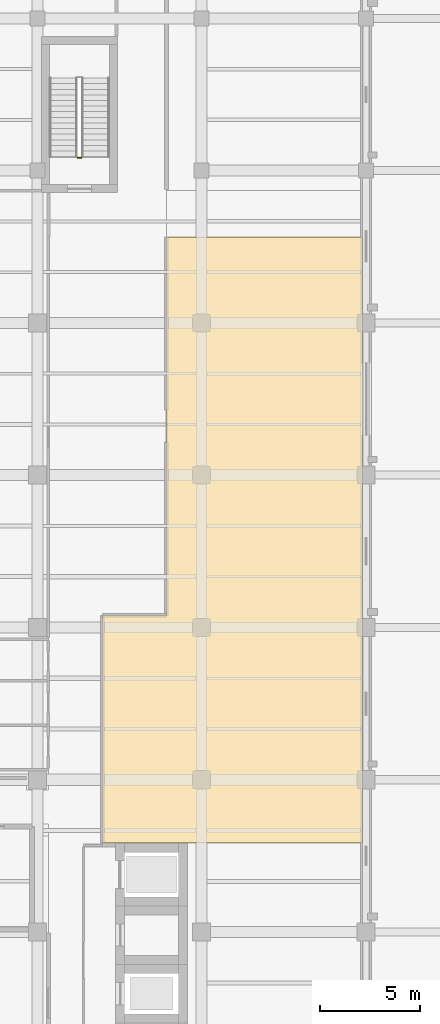
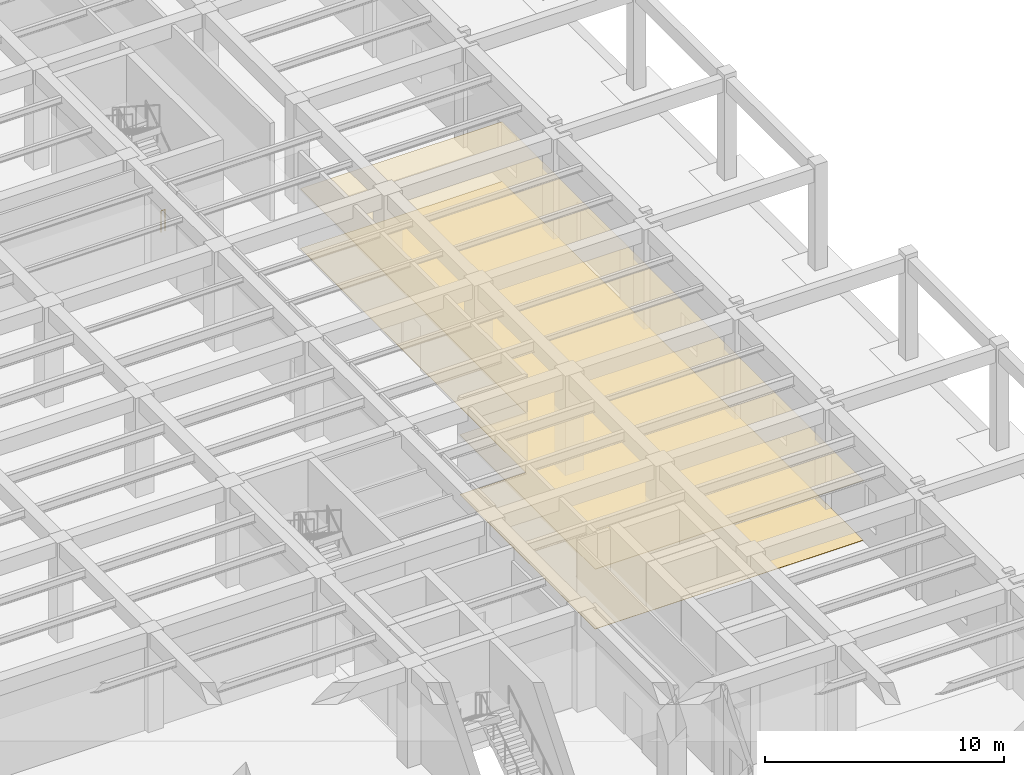
# One storey, part 61 of 64: 2 coverings, 1 railing.
"""IFC4 building model written with IfcOpenShell, lengths in metres."""

from ifc_helpers import new_model, si_unit, direction, frame, origin, origin_2d, place, context, subcontext, project, spatial, polyline, circle, outline, extrude, material, layer, layer_set, type_object, element, save


model = new_model("IFC4")

# Units and contexts
model_context = context("Model", 3, precision=1e-05, world=origin(), true_north=direction((0.0, 1.0)))
body_context = subcontext(model_context, "Body", "Model", "MODEL_VIEW")
ifc_project = project(units=[si_unit("LENGTHUNIT", "METRE"), si_unit("AREAUNIT", "SQUARE_METRE"), si_unit("VOLUMEUNIT", "CUBIC_METRE"), si_unit("PLANEANGLEUNIT", "RADIAN"), si_unit("MASSUNIT", "GRAM", prefix="KILO")], contexts=[model_context])

# Site, building, storey
site_placement = place(None, origin())
site = spatial("IfcSite", under=ifc_project, at=site_placement, CompositionType="ELEMENT")
building_placement = place(site_placement, origin())
building = spatial("IfcBuilding", under=site, at=building_placement, Name="Qandaris Square Conservatory and Botanical Centre", CompositionType="ELEMENT")
storey_placement = place(building_placement, origin())
storey = spatial("IfcBuildingStorey", under=building, at=storey_placement, Name="L00", CompositionType="ELEMENT", Elevation=0.0)

# Coverings
ifc_material_1 = material(Name="Gypsum Plasterboard", Category="gypsum")
ifc_layer_1 = layer(ifc_material_1, 0.02490234375)
ifc_layer_set_1 = layer_set([ifc_layer_1], Name="Gypsum Plasterboard")
covering_type_1 = type_object("IfcCoveringType", Name="Perforated Acoustic Lab Ceiling Tile", PredefinedType="CEILING", material=ifc_layer_set_1)
covering_1_placement = place(storey_placement, frame((0.0, 0.0, 3.050048828125)))
element("IfcCovering", 1, at=covering_1_placement, inside=storey, type_object=covering_type_1, Name="Public Reference Herbarium Reading Room Ceiling", PredefinedType="CEILING", context=body_context, shape_type="SweptSolid", body=[
    extrude(outline(polyline([(150.64990234375, 47.60009765625), (153.85009765625, 47.60009765625), (153.85009765625, 66.5), (163.6201171875, 66.5), (163.6201171875, 36.25), (150.64990234375, 36.25), (150.64990234375, 47.60009765625)])), origin(), (0.0, 0.0, 1.0), 0.02490234375),
])
ifc_material_2 = material(Name="Epoxy Resin Screed", Category="finish")
ifc_layer_2 = layer(ifc_material_2, 0.014892578125)
ifc_layer_set_2 = layer_set([ifc_layer_2], Name="Epoxy Resin Screed")
covering_type_2 = type_object("IfcCoveringType", Name="Seamless Epoxy Laboratory Flooring", PredefinedType="FLOORING", material=ifc_layer_set_2)
covering_2_placement = place(storey_placement, origin())
element("IfcCovering", 2, at=covering_2_placement, inside=storey, type_object=covering_type_2, Name="Public Reference Herbarium Reading Room Flooring", PredefinedType="FLOORING", context=body_context, shape_type="SweptSolid", body=[
    extrude(outline(polyline([(150.64990234375, 47.60009765625), (153.85009765625, 47.60009765625), (153.85009765625, 66.5), (163.6201171875, 66.5), (163.6201171875, 36.25), (150.64990234375, 36.25), (150.64990234375, 47.60009765625)])), origin(), (0.0, 0.0, 1.0), 0.014892578125),
])

# Railing
ifc_material_3 = material(Name="Stainless Steel", Category="steel")
railing_type = type_object("IfcRailingType", Name="Stairwell & Atrium Guardrail 1120mm", PredefinedType="GUARDRAIL", material=ifc_material_3)
railing_placement = place(storey_placement, frame((149.60009765625, 70.449951171875, 0.0)))
element("IfcRailing", 3, at=railing_placement, inside=storey, type_object=railing_type, Name="L00 ST-3 stair guard 4", PredefinedType="GUARDRAIL", context=body_context, shape_type="SweptSolid", body=[
    extrude(circle(Radius=0.02392578125, at=origin_2d()), frame((0.0, 0.0, 1.09619140625), z_axis=(-1.0, 0.0, 0.0), x_axis=(0.0, -1.0, 0.0)), (0.0, 0.0, 1.0), 0.2001953125),
    extrude(circle(Radius=0.02099609375, at=origin_2d()), origin(), (0.0, 0.0, 1.0), 1.072021484375),
    extrude(circle(Radius=0.02099609375, at=origin_2d()), frame((-0.2001953125, 0.0, 0.0)), (0.0, 0.0, 1.0), 1.072021484375),
])

save(model, "model.ifc")
